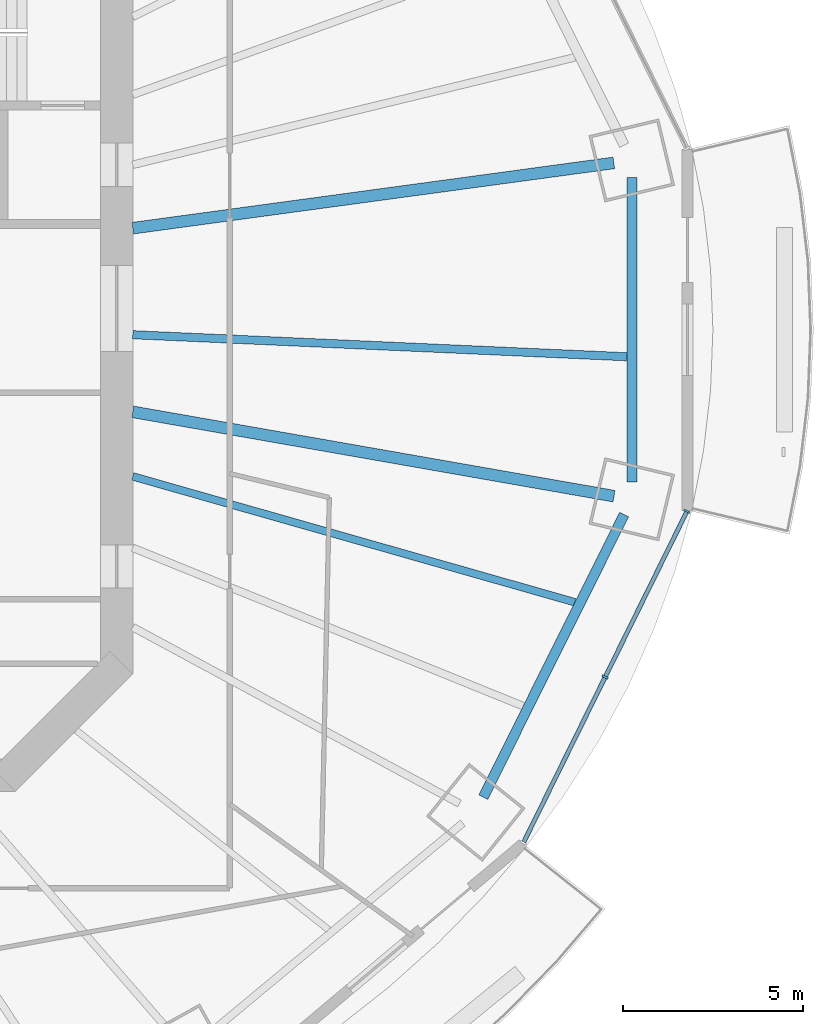
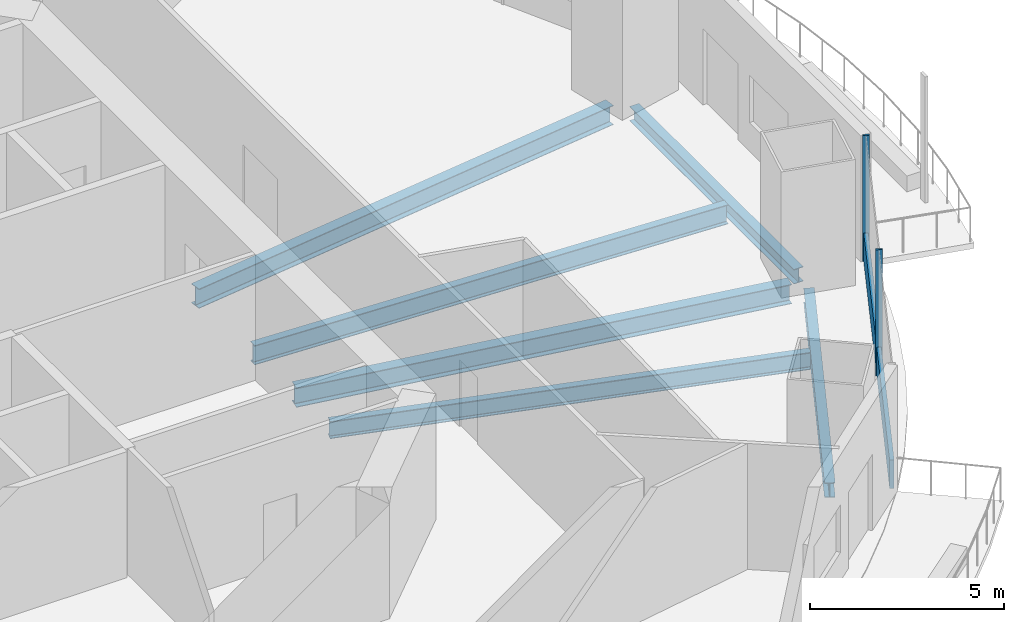
# One storey, part 5 of 19: 6 beams, 3 members, 1 element without a shape of its own.
"""IFC4 building model written with IfcOpenShell, lengths in metres."""

from ifc_helpers import new_model, si_unit, direction, frame, origin, origin_2d, place, context, subcontext, project, spatial, rectangle, i_section, extrude, material, material_profile, profile_set, type_object, element, aggregate, save


model = new_model("IFC4")

# Units and contexts
model_context = context("Model", 3, precision=1e-05, world=origin(), true_north=direction((0.0, 1.0)))
body_context = subcontext(model_context, "Body", "Model", "MODEL_VIEW")
ifc_project = project(units=[si_unit("LENGTHUNIT", "METRE"), si_unit("AREAUNIT", "SQUARE_METRE"), si_unit("VOLUMEUNIT", "CUBIC_METRE"), si_unit("PLANEANGLEUNIT", "RADIAN"), si_unit("MASSUNIT", "GRAM", prefix="KILO")], contexts=[model_context])

# Site, building, storey
site_placement = place(None, origin())
site = spatial("IfcSite", under=ifc_project, at=site_placement, CompositionType="ELEMENT")
building_placement = place(site_placement, origin())
building = spatial("IfcBuilding", under=site, at=building_placement, Name="Marenthal Gate Tower", CompositionType="ELEMENT")
storey_placement = place(building_placement, frame((0.0, 0.0, 223.300048828125)))
storey = spatial("IfcBuildingStorey", under=building, at=storey_placement, Name="L49", CompositionType="ELEMENT", Elevation=223.300048828125)

# Curtain wall, members
ifc_material_1 = material(Name="Aluminium and glass", Category="aluminium")
curtain_wall_type = type_object("IfcCurtainWallType", Name="Curtain wall typical mid", PredefinedType="NOTDEFINED", material=ifc_material_1)
curtain_wall_placement = place(storey_placement, origin())
curtain_wall = element("IfcCurtainWall", 1, at=curtain_wall_placement, inside=storey, type_object=curtain_wall_type, Name="Curtain wall L49 bay 15", PredefinedType="NOTDEFINED")
ifc_material_2 = material(Name="Aluminium", Category="aluminium")
ifc_material_profile_1 = material_profile(ifc_material_2, rectangle(XDim=0.179931640625, YDim=0.06005859375, at=origin_2d()), Name="60x180 aluminium mullion")
ifc_profile_set_1 = profile_set([ifc_material_profile_1], Name="Aluminium")
member_type_1 = type_object("IfcMemberType", Name="Mullion 60x180 typical mid", PredefinedType="MULLION", material=ifc_profile_set_1)
member_1_placement = place(storey_placement, frame((29.607177734375, -10.2705078125, 0.0), z_axis=(0.0, 0.0, 1.0), x_axis=(-0.896797507361, 0.442441217329, 0.0)))
member_1 = element("IfcMember", 2, at=member_1_placement, type_object=member_type_1, Name="Mullion L49 bay 15.2", PredefinedType="MULLION", context=body_context, shape_type="SweptSolid", body=[
    extrude(rectangle(XDim=0.179931640625, YDim=0.06005859375, at=origin_2d()), origin(), (0.0, 0.0, 1.0), 3.969970703125),
])
member_2_placement = place(storey_placement, frame((31.885009765625, -5.6533203125, 0.0), z_axis=(0.0, 0.0, 1.0), x_axis=(-0.896797507361, 0.442441217329, 0.0)))
member_2 = element("IfcMember", 3, at=member_2_placement, type_object=member_type_1, Name="Mullion L49 bay 15.3", PredefinedType="MULLION", context=body_context, shape_type="SweptSolid", body=[
    extrude(rectangle(XDim=0.179931640625, YDim=0.06005859375, at=origin_2d()), origin(), (0.0, 0.0, 1.0), 3.969970703125),
])
ifc_material_3 = material(Name="Aluminium", Category="aluminium")
ifc_material_profile_2 = material_profile(ifc_material_3, rectangle(XDim=0.1201171875, YDim=0.89990234375, at=origin_2d()), Name="120x900 aluminium transom")
ifc_profile_set_2 = profile_set([ifc_material_profile_2], Name="Aluminium")
member_type_2 = type_object("IfcMemberType", Name="Transom 120x900 typical mid", PredefinedType="USERDEFINED", material=ifc_profile_set_2)
member_3_placement = place(storey_placement, frame((27.342529296875, -14.860595703125, 0.449951171875), z_axis=(0.442456460688, 0.896789986783, 0.0), x_axis=(-0.896789986783, 0.442456460688, 0.0)))
member_3 = element("IfcMember", 4, at=member_3_placement, type_object=member_type_2, Name="Transom L49 bay 15", ObjectType="TRANSOM", PredefinedType="USERDEFINED", context=body_context, shape_type="SweptSolid", body=[
    extrude(rectangle(XDim=0.1201171875, YDim=0.89990234375, at=origin_2d()), origin(), (0.0, 0.0, 1.0), 10.23681640625),
])
aggregate(curtain_wall, [member_1, member_2, member_3])

# Beams
ifc_material_4 = material(Name="Steel S355", Category="steel")
ifc_material_profile_3 = material_profile(ifc_material_4, i_section(OverallWidth=0.279052734375, OverallDepth=0.4619140625, WebThickness=0.0107421875, FlangeThickness=0.017333984375, FilletRadius=0.010009765625, at=origin_2d()), Name="W460X113")
ifc_profile_set_3 = profile_set([ifc_material_profile_3], Name="Steel S355")
beam_type_1 = type_object("IfcBeamType", Name="W460X113 beam", PredefinedType="BEAM", material=ifc_profile_set_3)
beam_1_placement = place(storey_placement, frame((26.213134765625, -13.61376953125, -0.4111328125), z_axis=(0.446158339693, 0.894954041235, 0.0), x_axis=(-0.894954041235, 0.446158339693, 0.0)))
element("IfcBeam", 5, at=beam_1_placement, inside=storey, type_object=beam_type_1, Name="BM-L49-55", PredefinedType="BEAM", context=body_context, shape_type="SweptSolid", body=[
    extrude(i_section(OverallWidth=0.279052734375, OverallDepth=0.4619140625, WebThickness=0.0107421875, FlangeThickness=0.017333984375, FilletRadius=0.010009765625, at=origin_2d()), origin(), (0.0, 0.0, 1.0), 8.794189453125),
])
beam_2_placement = place(storey_placement, frame((30.3486328125, -4.841552734375, -0.4111328125), z_axis=(0.0, 1.0, 0.0), x_axis=(-1.0, 0.0, 0.0)))
element("IfcBeam", 6, at=beam_2_placement, inside=storey, type_object=beam_type_1, Name="BM-L49-56", PredefinedType="BEAM", context=body_context, shape_type="SweptSolid", body=[
    extrude(i_section(OverallWidth=0.279052734375, OverallDepth=0.4619140625, WebThickness=0.0107421875, FlangeThickness=0.017333984375, FilletRadius=0.010009765625, at=origin_2d()), origin(), (0.0, 0.0, 1.0), 8.483154296875),
])
ifc_material_5 = material(Name="Steel S355", Category="steel")
ifc_material_profile_4 = material_profile(ifc_material_5, i_section(OverallWidth=0.2119140625, OverallDepth=0.5439453125, WebThickness=0.01318359375, FlangeThickness=0.021240234375, FilletRadius=0.0126953125, at=origin_2d()), Name="W530X123")
ifc_profile_set_4 = profile_set([ifc_material_profile_4], Name="Steel S355")
beam_type_2 = type_object("IfcBeamType", Name="W530X123 beam", PredefinedType="BEAM", material=ifc_profile_set_4)
beam_3_placement = place(storey_placement, frame((28.763427734375, -8.185546875, -0.4521484375), z_axis=(-0.961811985112, 0.273710988626, 0.0), x_axis=(-0.273710988626, -0.961811985112, 0.0)))
element("IfcBeam", 7, at=beam_3_placement, inside=storey, type_object=beam_type_2, Name="BM-L49-39", PredefinedType="BEAM", context=body_context, shape_type="SweptSolid", body=[
    extrude(i_section(OverallWidth=0.2119140625, OverallDepth=0.5439453125, WebThickness=0.01318359375, FlangeThickness=0.021240234375, FilletRadius=0.0126953125, at=origin_2d()), origin(), (0.0, 0.0, 1.0), 12.802490234375),
])
ifc_material_6 = material(Name="Steel S355", Category="steel")
ifc_material_profile_5 = material_profile(ifc_material_6, i_section(OverallWidth=0.22900390625, OverallDepth=0.612060546875, WebThickness=0.011962890625, FlangeThickness=0.01953125, FilletRadius=0.0126953125, at=origin_2d()), Name="W610X125")
ifc_profile_set_5 = profile_set([ifc_material_profile_5], Name="Steel S355")
beam_type_3 = type_object("IfcBeamType", Name="W610X125 beam", PredefinedType="BEAM", material=ifc_profile_set_5)
beam_4_placement = place(storey_placement, frame((30.209228515625, -1.3486328125, -0.486083984375), z_axis=(-0.999004980576, 0.04459875317, 0.0), x_axis=(-0.04459875317, -0.999004980576, 0.0)))
element("IfcBeam", 8, at=beam_4_placement, inside=storey, type_object=beam_type_3, Name="BM-L49-40", PredefinedType="BEAM", context=body_context, shape_type="SweptSolid", body=[
    extrude(i_section(OverallWidth=0.22900390625, OverallDepth=0.612060546875, WebThickness=0.011962890625, FlangeThickness=0.01953125, FilletRadius=0.0126953125, at=origin_2d()), origin(), (0.0, 0.0, 1.0), 13.77294921875),
])
ifc_material_7 = material(Name="Steel S355", Category="steel")
ifc_material_profile_6 = material_profile(ifc_material_7, i_section(OverallWidth=0.324951171875, OverallDepth=0.612060546875, WebThickness=0.0126953125, FlangeThickness=0.01904296875, FilletRadius=0.0126953125, at=origin_2d()), Name="W610X155")
ifc_profile_set_6 = profile_set([ifc_material_profile_6], Name="Steel S355")
beam_type_4 = type_object("IfcBeamType", Name="W610X155 beam", PredefinedType="BEAM", material=ifc_profile_set_6)
beam_5_placement = place(storey_placement, frame((29.848388671875, 4.05029296875, -0.486083984375), z_axis=(-0.990920920004, -0.134446012579, 0.0), x_axis=(0.134446012579, -0.990920920004, 0.0)))
element("IfcBeam", 9, at=beam_5_placement, inside=storey, type_object=beam_type_4, Name="BM-L49-01", PredefinedType="BEAM", context=body_context, shape_type="SweptSolid", body=[
    extrude(i_section(OverallWidth=0.324951171875, OverallDepth=0.612060546875, WebThickness=0.0126953125, FlangeThickness=0.01904296875, FilletRadius=0.0126953125, at=origin_2d()), origin(), (0.0, 0.0, 1.0), 13.521240234375),
])
beam_6_placement = place(storey_placement, frame((29.854248046875, -5.231689453125, -0.486083984375), z_axis=(-0.984991449928, 0.172603138929, 0.0), x_axis=(-0.172603138929, -0.984991449928, 0.0)))
element("IfcBeam", 10, at=beam_6_placement, inside=storey, type_object=beam_type_4, Name="BM-L49-16", PredefinedType="BEAM", context=body_context, shape_type="SweptSolid", body=[
    extrude(i_section(OverallWidth=0.324951171875, OverallDepth=0.612060546875, WebThickness=0.0126953125, FlangeThickness=0.01904296875, FilletRadius=0.0126953125, at=origin_2d()), origin(), (0.0, 0.0, 1.0), 13.608642578125),
])

save(model, "model.ifc")
